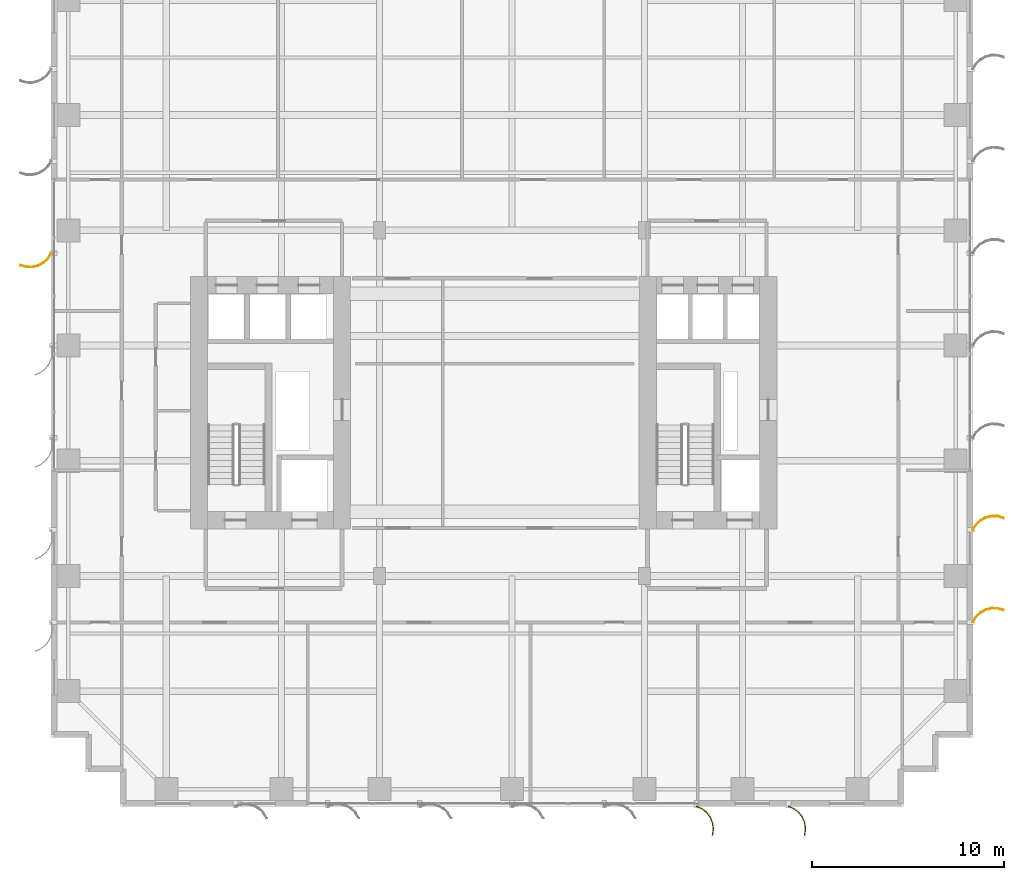
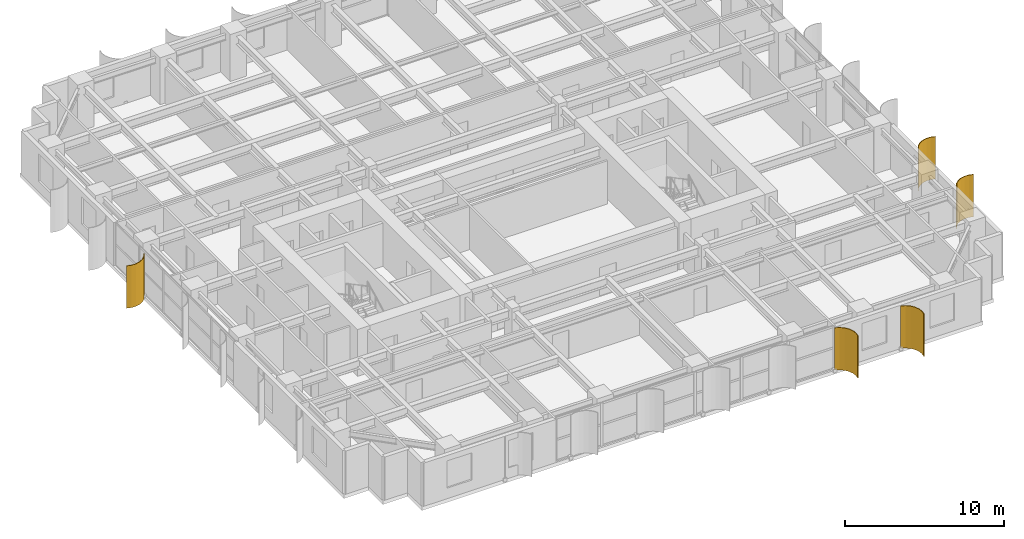
# One storey, part 23 of 25: 5 shading devices.
"""IFC4 building model written with IfcOpenShell, lengths in metres."""

from ifc_helpers import new_model, si_unit, direction, frame, origin, place, context, subcontext, project, spatial, polyline, outline, extrude, source, transform, mapped, material, layer, layer_set, type_object, element, save


model = new_model("IFC4")

# Units and contexts
model_context = context("Model", 3, precision=1e-05, world=origin(), true_north=direction((0.0, 1.0)))
body_context = subcontext(model_context, "Body", "Model", "MODEL_VIEW")
ifc_project = project(units=[si_unit("LENGTHUNIT", "METRE"), si_unit("AREAUNIT", "SQUARE_METRE"), si_unit("VOLUMEUNIT", "CUBIC_METRE"), si_unit("PLANEANGLEUNIT", "RADIAN"), si_unit("MASSUNIT", "GRAM", prefix="KILO")], contexts=[model_context])

# Site, building, storey
site_placement = place(None, origin())
site = spatial("IfcSite", under=ifc_project, at=site_placement, CompositionType="ELEMENT")
building_placement = place(site_placement, origin())
building = spatial("IfcBuilding", under=site, at=building_placement, Name="Khoralis Quay Care Tower", CompositionType="ELEMENT")
storey_placement = place(building_placement, frame((0.0, 0.0, 51.300048828125)))
storey = spatial("IfcBuildingStorey", under=building, at=storey_placement, Name="L13", CompositionType="ELEMENT", Elevation=51.300048828125)

# Shading devices
ifc_material = material(Name="Brushed pale anodised aluminium", Category="aluminium")
ifc_layer = layer(ifc_material, 0.044921875)
ifc_layer_set = layer_set([ifc_layer], Name="Brushed pale anodised aluminium")
shading_device_type = type_object("IfcShadingDeviceType", Name="SHD-FIN-1250", PredefinedType="USERDEFINED", material=ifc_layer_set)
shared_shape_1 = source(origin(), body_context, "Body", "SweptSolid", [
    extrude(outline(polyline([(0.0, 0.0), (0.130126953125, 0.29931640625), (0.333251953125, 0.5546875), (0.595458984375, 0.748779296875), (0.899169921875, 0.868408203125), (1.223388671875, 0.9052734375), (1.546142578125, 0.85693359375), (1.53369140625, 0.813720703125), (1.22265625, 0.8603515625), (0.91015625, 0.82470703125), (0.617431640625, 0.70947265625), (0.364501953125, 0.522216796875), (0.168701171875, 0.276123046875), (0.043212890625, -0.012451171875), (0.0, 0.0)])), origin(), (0.0, 0.0, 1.0), 3.260009765625),
])
for number, where, z_axis, x_axis, name in (
    (1, (33.60009765625, 0.030029296875, 0.02001953125), (0.0, 0.0, 1.0), (0.0, -1.0, 0.0), "L13 Curved Solar Fin P1E0-06"),
    (2, (38.39990234375, 0.030029296875, 0.02001953125), (0.0, 0.0, 1.0), (0.0, -1.0, 0.0), "L13 Curved Solar Fin P1E0-07"),
):
    element("IfcShadingDevice", number, at=place(storey_placement, frame(where, z_axis=z_axis, x_axis=x_axis)), inside=storey, type_object=shading_device_type, Name=name, ObjectType="FIN", PredefinedType="USERDEFINED", context=body_context, shape_type="MappedRepresentation", body=[
        mapped(shared_shape_1, transform((0.0, 0.0, 0.0), scale=1.0)),
    ])
shared_shape_2 = source(origin(), body_context, "Body", "SweptSolid", [
    extrude(outline(polyline([(0.0, 0.0), (0.17041015625, 0.2783203125), (0.4072265625, 0.5029296875), (0.694091796875, 0.658447265625), (1.01123046875, 0.734619140625), (1.33740234375, 0.72607421875), (1.650390625, 0.633544921875), (1.632080078125, 0.59228515625), (1.330322265625, 0.681640625), (1.015869140625, 0.68994140625), (0.710205078125, 0.616455078125), (0.43359375, 0.466552734375), (0.20556640625, 0.25), (0.041015625, -0.018310546875), (0.0, 0.0)])), origin(), (0.0, 0.0, 1.0), 3.260009765625),
])
for number, where, z_axis, x_axis, name in (
    (3, (47.969970703125, 9.60009765625, 0.02001953125), (0.0, 0.0, 1.0), (1.0, 0.0, 0.0), "L13 Curved Solar Fin P1E5-01"),
    (4, (47.969970703125, 14.39990234375, 0.02001953125), (0.0, 0.0, 1.0), (1.0, 0.0, 0.0), "L13 Curved Solar Fin P1E5-02"),
    (5, (0.030029296875, 28.800048828125, 0.02001953125), (0.0, 0.0, 1.0), (-1.0, 0.0, 0.0), "L13 Curved Solar Fin P1E15-03"),
):
    element("IfcShadingDevice", number, at=place(storey_placement, frame(where, z_axis=z_axis, x_axis=x_axis)), inside=storey, type_object=shading_device_type, Name=name, ObjectType="FIN", PredefinedType="USERDEFINED", context=body_context, shape_type="MappedRepresentation", body=[
        mapped(shared_shape_2, transform((0.0, 0.0, 0.0), scale=1.0)),
    ])

save(model, "model.ifc")
